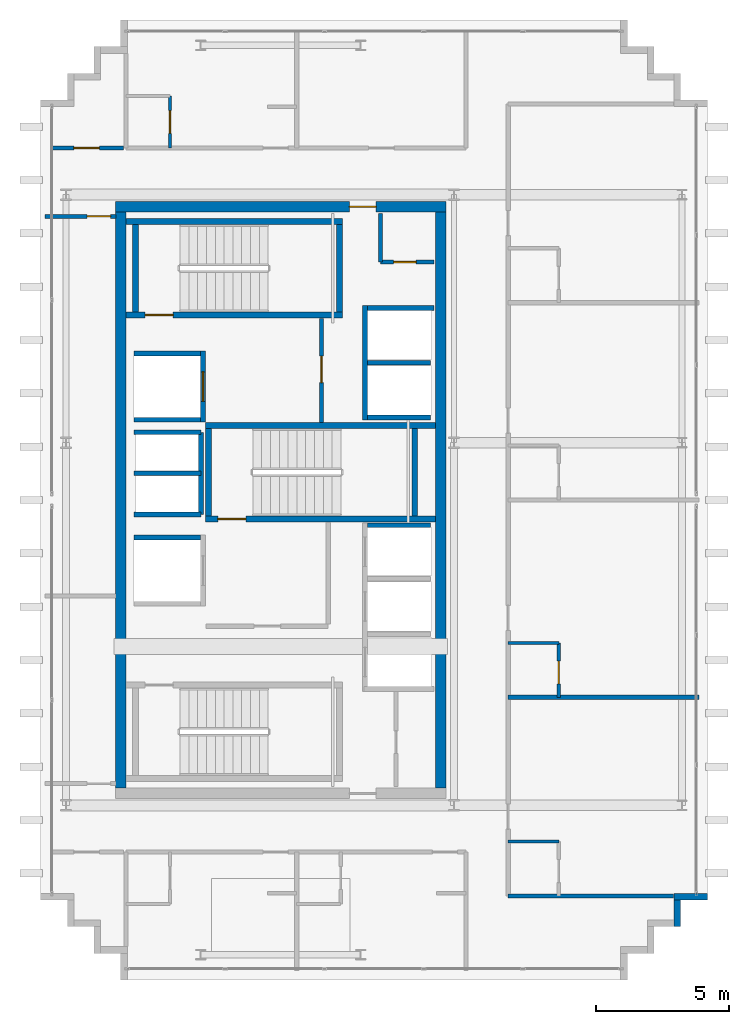
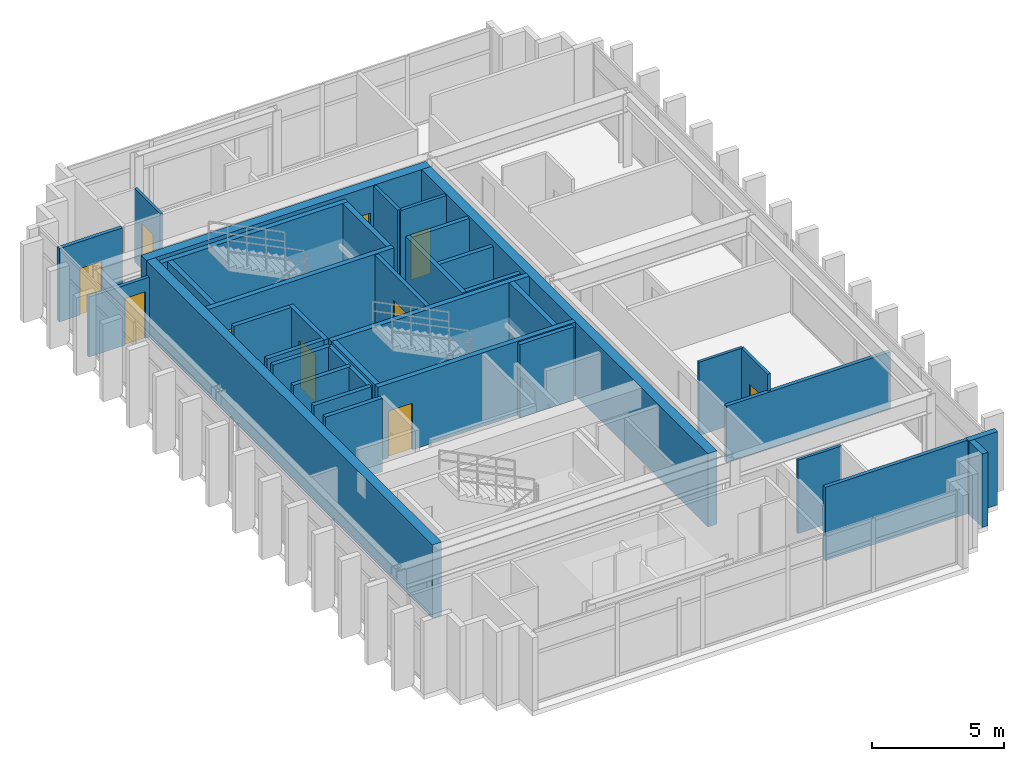
# One storey, part 13 of 15: 37 walls, 10 doors, 10 openings.
"""IFC4 building model written with IfcOpenShell, lengths in metres."""

from ifc_helpers import new_model, si_unit, direction, frame, frame_2d, origin, place, context, subcontext, project, spatial, rectangle, extrude, source, transform, mapped, material, layer, layer_set, type_object, element, fill, save


model = new_model("IFC4")

# Units and contexts
model_context = context("Model", 3, precision=1e-05, world=origin(), true_north=direction((0.0, 1.0)))
body_context = subcontext(model_context, "Body", "Model", "MODEL_VIEW")
ifc_project = project(units=[si_unit("LENGTHUNIT", "METRE"), si_unit("AREAUNIT", "SQUARE_METRE"), si_unit("VOLUMEUNIT", "CUBIC_METRE"), si_unit("PLANEANGLEUNIT", "RADIAN"), si_unit("MASSUNIT", "GRAM", prefix="KILO")], contexts=[model_context])

# Site, building, storey
site_placement = place(None, origin())
site = spatial("IfcSite", under=ifc_project, at=site_placement, CompositionType="ELEMENT")
building_placement = place(site_placement, origin())
building = spatial("IfcBuilding", under=site, at=building_placement, Name="Ocotamira Hotel", CompositionType="ELEMENT")
storey_placement = place(building_placement, frame((0.0, 0.0, 283.199951171875)))
storey = spatial("IfcBuildingStorey", under=building, at=storey_placement, Name="L72", CompositionType="ELEMENT", Elevation=283.199951171875)

# Wall, opening, door
ifc_material_1 = material(Name="Concrete C50/60", Category="concrete")
ifc_layer_1 = layer(ifc_material_1, 0.39990234375)
ifc_layer_set_1 = layer_set([ifc_layer_1], Name="Concrete C50/60")
wall_type_1 = type_object("IfcWallType", Name="WL-CORE-400", PredefinedType="SHEAR", material=ifc_layer_set_1)
wall_1_placement = place(storey_placement, frame((10.800048828125, 37.0, 0.0), z_axis=(0.0, 0.0, 1.0), x_axis=(1.0, 0.0, 0.0)))
wall_1 = element("IfcWall", 1, at=wall_1_placement, inside=storey, type_object=wall_type_1, Name="L72 Shear Core Wall WCORE-N", PredefinedType="SHEAR", context=body_context, shape_type="SweptSolid", body=[
    extrude(rectangle(XDim=12.39990234375, YDim=0.39990234375, at=frame_2d((6.199951171875, 0.0))), origin(), (0.0, 0.0, 1.0), 3.380126953125),
])
opening_1_placement = place(wall_1_placement, frame((8.780029296875, 0.0, 0.0)))
opening_1 = element("IfcOpeningElement", 2, at=opening_1_placement, cuts=wall_1, Name="Opening D-FR2", PredefinedType="OPENING", context=body_context, shape_type="SweptSolid", body=[
    extrude(rectangle(XDim=1.0, YDim=2.14990234375, at=frame_2d((0.5, 1.074951171875))), frame((0.0, 0.2099609375, 0.0), z_axis=(0.0, -1.0, 0.0), x_axis=(1.0, 0.0, 0.0)), (0.0, 0.0, 1.0), 0.419921875),
])
ifc_material_2 = material(Name="Fire-rated acoustic timber-veneer door", Category="wood")
door_type_1 = type_object("IfcDoorType", Name="DR-FIRE-1000", OperationType="NOTDEFINED", PredefinedType="DOOR", material=ifc_material_2)
shared_shape_1 = source(origin(), body_context, "Body", "SweptSolid", [
    extrude(rectangle(XDim=1.0, YDim=2.14990234375, at=frame_2d((0.5, 1.074951171875))), frame((0.0, 0.02490234375, 0.0), z_axis=(0.0, -1.0, 0.0), x_axis=(1.0, 0.0, 0.0)), (0.0, 0.0, 1.0), 0.050048828125),
])
door_1_placement = place(opening_1_placement, origin())
door_1 = element("IfcDoor", 3, at=door_1_placement, inside=storey, type_object=door_type_1, Name="L72 Door ID-L72-WLOB-N-D [ID-L72-WLOB-N-D]", OperationType="SINGLE_SWING_RIGHT", OverallHeight=2.14990234375, OverallWidth=1.0, PredefinedType="DOOR", context=body_context, shape_type="MappedRepresentation", body=[
    mapped(shared_shape_1, transform((0.0, 0.0, 0.0), scale=1.0)),
])
fill(opening_1, door_1)

# Walls
for number, where, z_axis, x_axis, name in (
    (4, (11.0, 15.199951171875, 0.0), (0.0, 0.0, 1.0), (0.0, 1.0, 0.0), "L72 Shear Core Wall WCORE-W"),
    (5, (23.0, 15.199951171875, 0.0), (0.0, 0.0, 1.0), (0.0, 1.0, 0.0), "L72 Shear Core Wall WCORE-E"),
):
    element("IfcWall", number, at=place(storey_placement, frame(where, z_axis=z_axis, x_axis=x_axis)), inside=storey, type_object=wall_type_1, Name=name, PredefinedType="SHEAR", context=body_context, shape_type="SweptSolid", body=[
        extrude(rectangle(XDim=21.60009765625, YDim=0.39990234375, at=frame_2d((10.800048828125, 0.0))), origin(), (0.0, 0.0, 1.0), 3.380126953125),
    ])
ifc_material_3 = material(Name="Precast concrete C45/55", Category="concrete")
ifc_layer_2 = layer(ifc_material_3, 0.25)
ifc_layer_set_2 = layer_set([ifc_layer_2], Name="Precast concrete C45/55")
wall_type_2 = type_object("IfcWallType", Name="WL-EXT-SER-250", PredefinedType="SOLIDWALL", material=ifc_layer_set_2)
wall_2_placement = place(storey_placement, frame((31.875, 10.0, 0.0), z_axis=(0.0, 0.0, 1.0), x_axis=(0.0, 1.0, 0.0)))
element("IfcWall", 6, at=wall_2_placement, inside=storey, type_object=wall_type_2, Name="L72 Serrated Corner Wall 05", PredefinedType="SOLIDWALL", context=body_context, shape_type="SweptSolid", body=[
    extrude(rectangle(XDim=1.0, YDim=0.25, at=frame_2d((0.5, 0.0))), origin(), (0.0, 0.0, 1.0), 3.380126953125),
])
wall_3_placement = place(storey_placement, frame((31.75, 11.125, 0.0), z_axis=(0.0, 0.0, 1.0), x_axis=(1.0, 0.0, 0.0)))
element("IfcWall", 7, at=wall_3_placement, inside=storey, type_object=wall_type_2, Name="L72 Serrated Corner Wall 06", PredefinedType="SOLIDWALL", context=body_context, shape_type="SweptSolid", body=[
    extrude(rectangle(XDim=1.25, YDim=0.25, at=frame_2d((0.625, 0.0))), origin(), (0.0, 0.0, 1.0), 3.380126953125),
])

# Wall, opening, door
ifc_material_4 = material(Name="Acoustic double-layer fire gypsum board partition", Category="gypsum")
ifc_layer_3 = layer(ifc_material_4, 0.159912109375)
ifc_layer_set_3 = layer_set([ifc_layer_3], Name="Acoustic double-layer fire gypsum board partition")
wall_type_3 = type_object("IfcWallType", Name="WL-FIRE-160", PredefinedType="PARTITIONING", material=ifc_layer_set_3)
wall_4_placement = place(storey_placement, frame((18.530029296875, 28.89990234375, 0.0), z_axis=(0.0, 0.0, 1.0), x_axis=(0.0, 1.0, 0.0)))
wall_4 = element("IfcWall", 8, at=wall_4_placement, inside=storey, type_object=wall_type_3, Name="L72 Interior Wall PW-L72-FSAE2-E", PredefinedType="PARTITIONING", context=body_context, shape_type="SweptSolid", body=[
    extrude(rectangle(XDim=3.900146484375, YDim=0.159912109375, at=frame_2d((1.9501953125, 0.0))), origin(), (0.0, 0.0, 1.0), 3.380126953125),
])
opening_2_placement = place(wall_4_placement, frame((1.5, 0.0, 0.0)))
opening_2 = element("IfcOpeningElement", 9, at=opening_2_placement, cuts=wall_4, Name="Opening D-FR2", PredefinedType="OPENING", context=body_context, shape_type="SweptSolid", body=[
    extrude(rectangle(XDim=1.0, YDim=2.14990234375, at=frame_2d((0.5, 1.074951171875))), frame((0.0, 0.08984375, 0.0), z_axis=(0.0, -1.0, 0.0), x_axis=(1.0, 0.0, 0.0)), (0.0, 0.0, 1.0), 0.179931640625),
])
door_2_placement = place(opening_2_placement, origin())
door_2 = element("IfcDoor", 10, at=door_2_placement, inside=storey, type_object=door_type_1, Name="L72 Door ID-L72-FSAE2-D [ID-L72-FSAE2-D]", OperationType="SINGLE_SWING_RIGHT", OverallHeight=2.14990234375, OverallWidth=1.0, PredefinedType="DOOR", context=body_context, shape_type="MappedRepresentation", body=[
    mapped(shared_shape_1, transform((0.0, 0.0, 0.0), scale=1.0)),
])
fill(opening_2, door_2)

wall_5_placement = place(storey_placement, frame((8.35009765625, 39.199951171875, 0.0), z_axis=(0.0, 0.0, 1.0), x_axis=(1.0, 0.0, 0.0)))
wall_5 = element("IfcWall", 11, at=wall_5_placement, inside=storey, type_object=wall_type_3, Name="L72 Interior Wall PW-L72-WPCNW1-CW", PredefinedType="PARTITIONING", context=body_context, shape_type="SweptSolid", body=[
    extrude(rectangle(XDim=2.75, YDim=0.159912109375, at=frame_2d((1.375, 0.0))), origin(), (0.0, 0.0, 1.0), 3.380126953125),
])
opening_3_placement = place(wall_5_placement, frame((0.89501953125, 0.0, 0.0)))
opening_3 = element("IfcOpeningElement", 12, at=opening_3_placement, cuts=wall_5, Name="Opening D-SV4", PredefinedType="OPENING", context=body_context, shape_type="SweptSolid", body=[
    extrude(rectangle(XDim=0.9599609375, YDim=2.14990234375, at=frame_2d((0.47998046875, 1.074951171875))), frame((0.0, 0.08984375, 0.0), z_axis=(0.0, -1.0, 0.0), x_axis=(1.0, 0.0, 0.0)), (0.0, 0.0, 1.0), 0.179931640625),
])
ifc_material_5 = material(Name="Fire-rated accessible walnut salon door", Category="wood")
door_type_2 = type_object("IfcDoorType", Name="DR-SERV-960", OperationType="NOTDEFINED", PredefinedType="DOOR", material=ifc_material_5)
shared_shape_2 = source(origin(), body_context, "Body", "SweptSolid", [
    extrude(rectangle(XDim=0.9599609375, YDim=2.14990234375, at=frame_2d((0.47998046875, 1.074951171875))), frame((0.0, 0.02490234375, 0.0), z_axis=(0.0, -1.0, 0.0), x_axis=(1.0, 0.0, 0.0)), (0.0, 0.0, 1.0), 0.050048828125),
])
door_3_placement = place(opening_3_placement, origin())
door_3 = element("IfcDoor", 13, at=door_3_placement, inside=storey, type_object=door_type_2, Name="L72 Door ID-L72-WPCNW1-CD [ID-L72-WPCNW1-CD]", OperationType="SINGLE_SWING_LEFT", OverallHeight=2.14990234375, OverallWidth=0.9599609375, PredefinedType="DOOR", context=body_context, shape_type="MappedRepresentation", body=[
    mapped(shared_shape_2, transform((0.0, 0.0, 0.0), scale=1.0)),
])
fill(opening_3, door_3)

ifc_material_6 = material(Name="Moisture-resistant en-suite tile and gypsum partition", Category="gypsum")
ifc_layer_4 = layer(ifc_material_6, 0.1201171875)
ifc_layer_set_4 = layer_set([ifc_layer_4], Name="Moisture-resistant en-suite tile and gypsum partition")
wall_type_4 = type_object("IfcWallType", Name="WL-PART-120", PredefinedType="PARTITIONING", material=ifc_layer_set_4)
wall_6_placement = place(storey_placement, frame((12.85009765625, 39.199951171875, 0.0), z_axis=(0.0, 0.0, 1.0), x_axis=(0.0, 1.0, 0.0)))
wall_6 = element("IfcWall", 14, at=wall_6_placement, inside=storey, type_object=wall_type_4, Name="L72 Interior Wall PW-L72-WP1N-BAE1", PredefinedType="PARTITIONING", context=body_context, shape_type="SweptSolid", body=[
    extrude(rectangle(XDim=1.949951171875, YDim=0.1201171875, at=frame_2d((0.97509765625, 0.0))), origin(), (0.0, 0.0, 1.0), 3.380126953125),
])
opening_4_placement = place(wall_6_placement, frame((0.544921875, 0.0, 0.0)))
opening_4 = element("IfcOpeningElement", 15, at=opening_4_placement, cuts=wall_6, Name="Opening D-BA1", PredefinedType="OPENING", context=body_context, shape_type="SweptSolid", body=[
    extrude(rectangle(XDim=0.860107421875, YDim=2.10009765625, at=frame_2d((0.43017578125, 1.050048828125))), frame((0.0, 0.070068359375, 0.0), z_axis=(0.0, -1.0, 0.0), x_axis=(1.0, 0.0, 0.0)), (0.0, 0.0, 1.0), 0.14013671875),
])
ifc_material_7 = material(Name="Moisture-sealed en-suite timber door", Category="wood")
door_type_3 = type_object("IfcDoorType", Name="DR-BATH-860", OperationType="NOTDEFINED", PredefinedType="DOOR", material=ifc_material_7)
shared_shape_3 = source(origin(), body_context, "Body", "SweptSolid", [
    extrude(rectangle(XDim=0.860107421875, YDim=2.10009765625, at=frame_2d((0.43017578125, 1.050048828125))), frame((0.0, 0.02490234375, 0.0), z_axis=(0.0, -1.0, 0.0), x_axis=(1.0, 0.0, 0.0)), (0.0, 0.0, 1.0), 0.050048828125),
])
door_4_placement = place(opening_4_placement, origin())
door_4 = element("IfcDoor", 16, at=door_4_placement, inside=storey, type_object=door_type_3, Name="L72 Door ID-L72-WP1N-BAD1 [ID-L72-WP1N-BAD1]", OperationType="SINGLE_SWING_RIGHT", OverallHeight=2.10009765625, OverallWidth=0.860107421875, PredefinedType="DOOR", context=body_context, shape_type="MappedRepresentation", body=[
    mapped(shared_shape_3, transform((0.0, 0.0, 0.0), scale=1.0)),
])
fill(opening_4, door_4)

# Wall
wall_7_placement = place(storey_placement, frame((25.530029296875, 13.18994140625, 0.0), z_axis=(0.0, 0.0, 1.0), x_axis=(1.0, 0.0, 0.0)))
element("IfcWall", 17, at=wall_7_placement, inside=storey, type_object=wall_type_4, Name="L72 Interior Wall PW-L72-WP-EBN1", PredefinedType="PARTITIONING", context=body_context, shape_type="SweptSolid", body=[
    extrude(rectangle(XDim=1.89990234375, YDim=0.1201171875, at=frame_2d((0.949951171875, 0.0))), origin(), (0.0, 0.0, 1.0), 3.380126953125),
])

# Wall, opening, door
wall_8_placement = place(storey_placement, frame((27.429931640625, 18.60009765625, 0.0), z_axis=(0.0, 0.0, 1.0), x_axis=(0.0, 1.0, 0.0)))
wall_8 = element("IfcWall", 18, at=wall_8_placement, inside=storey, type_object=wall_type_4, Name="L72 Interior Wall PW-L72-WP-EBE2", PredefinedType="PARTITIONING", context=body_context, shape_type="SweptSolid", body=[
    extrude(rectangle(XDim=2.039794921875, YDim=0.1201171875, at=frame_2d((1.02001953125, 0.0))), origin(), (0.0, 0.0, 1.0), 3.380126953125),
])
opening_5_placement = place(wall_8_placement, frame((0.5, 0.0, 0.0)))
opening_5 = element("IfcOpeningElement", 19, at=opening_5_placement, cuts=wall_8, Name="Opening D-BA1", PredefinedType="OPENING", context=body_context, shape_type="SweptSolid", body=[
    extrude(rectangle(XDim=0.860107421875, YDim=2.10009765625, at=frame_2d((0.43017578125, 1.050048828125))), frame((0.0, 0.070068359375, 0.0), z_axis=(0.0, -1.0, 0.0), x_axis=(1.0, 0.0, 0.0)), (0.0, 0.0, 1.0), 0.14013671875),
])
door_5_placement = place(opening_5_placement, origin())
door_5 = element("IfcDoor", 20, at=door_5_placement, inside=storey, type_object=door_type_3, Name="L72 Door ID-L72-WP-EBD2 [ID-L72-WP-EBD2]", OperationType="SINGLE_SWING_LEFT", OverallHeight=2.10009765625, OverallWidth=0.860107421875, PredefinedType="DOOR", context=body_context, shape_type="MappedRepresentation", body=[
    mapped(shared_shape_3, transform((0.0, 0.0, 0.0), scale=1.0)),
])
fill(opening_5, door_5)

# Walls
wall_9_placement = place(storey_placement, frame((25.530029296875, 20.639892578125, 0.0), z_axis=(0.0, 0.0, 1.0), x_axis=(1.0, 0.0, 0.0)))
element("IfcWall", 21, at=wall_9_placement, inside=storey, type_object=wall_type_4, Name="L72 Interior Wall PW-L72-WP-EBN2", PredefinedType="PARTITIONING", context=body_context, shape_type="SweptSolid", body=[
    extrude(rectangle(XDim=1.89990234375, YDim=0.1201171875, at=frame_2d((0.949951171875, 0.0))), origin(), (0.0, 0.0, 1.0), 3.380126953125),
])
ifc_material_8 = material(Name="Acoustic hospitality gypsum board partition", Category="gypsum")
ifc_layer_5 = layer(ifc_material_8, 0.14208984375)
ifc_layer_set_5 = layer_set([ifc_layer_5], Name="Acoustic hospitality gypsum board partition")
wall_type_5 = type_object("IfcWallType", Name="WL-PART-142", PredefinedType="PARTITIONING", material=ifc_layer_set_5)
wall_10_placement = place(storey_placement, frame((20.739990234375, 34.919921875, 0.0), z_axis=(0.0, 0.0, 1.0), x_axis=(0.0, 1.0, 0.0)))
element("IfcWall", 22, at=wall_10_placement, inside=storey, type_object=wall_type_5, Name="L72 Interior Wall PW-L72-WC-NE-W1", PredefinedType="PARTITIONING", context=body_context, shape_type="SweptSolid", body=[
    extrude(rectangle(XDim=1.830078125, YDim=0.14208984375, at=frame_2d((0.9150390625, 0.0))), origin(), (0.0, 0.0, 1.0), 3.380126953125),
])

# Wall, opening, door
wall_11_placement = place(storey_placement, frame((20.739990234375, 34.919921875, 0.0), z_axis=(0.0, 0.0, 1.0), x_axis=(1.0, 0.0, 0.0)))
wall_11 = element("IfcWall", 23, at=wall_11_placement, inside=storey, type_object=wall_type_5, Name="L72 Interior Wall PW-L72-WC-NE-S1", PredefinedType="PARTITIONING", context=body_context, shape_type="SweptSolid", body=[
    extrude(rectangle(XDim=2.010009765625, YDim=0.14208984375, at=frame_2d((1.0048828125, 0.0))), origin(), (0.0, 0.0, 1.0), 3.380126953125),
])
opening_6_placement = place(wall_11_placement, frame((0.5, 0.0, 0.0)))
opening_6 = element("IfcOpeningElement", 24, at=opening_6_placement, cuts=wall_11, Name="Opening D-SV1", PredefinedType="OPENING", context=body_context, shape_type="SweptSolid", body=[
    extrude(rectangle(XDim=0.840087890625, YDim=2.10009765625, at=frame_2d((0.419921875, 1.050048828125))), frame((0.0, 0.0810546875, 0.0), z_axis=(0.0, -1.0, 0.0), x_axis=(1.0, 0.0, 0.0)), (0.0, 0.0, 1.0), 0.162109375),
])
ifc_material_9 = material(Name="Fire-rated painted steel service door", Category="steel")
door_type_4 = type_object("IfcDoorType", Name="DR-SERV-840", OperationType="NOTDEFINED", PredefinedType="DOOR", material=ifc_material_9)
shared_shape_4 = source(origin(), body_context, "Body", "SweptSolid", [
    extrude(rectangle(XDim=0.840087890625, YDim=2.10009765625, at=frame_2d((0.419921875, 1.050048828125))), frame((0.0, 0.02490234375, 0.0), z_axis=(0.0, -1.0, 0.0), x_axis=(1.0, 0.0, 0.0)), (0.0, 0.0, 1.0), 0.050048828125),
])
door_6_placement = place(opening_6_placement, origin())
door_6 = element("IfcDoor", 25, at=door_6_placement, inside=storey, type_object=door_type_4, Name="L72 Door ID-L72-WC-NE-D1 [ID-L72-WC-NE-D1]", OperationType="SINGLE_SWING_LEFT", OverallHeight=2.10009765625, OverallWidth=0.840087890625, PredefinedType="DOOR", context=body_context, shape_type="MappedRepresentation", body=[
    mapped(shared_shape_4, transform((0.0, 0.0, 0.0), scale=1.0)),
])
fill(opening_6, door_6)

ifc_layer_6 = layer(ifc_material_8, 0.14990234375)
ifc_layer_set_6 = layer_set([ifc_layer_6], Name="Acoustic hospitality gypsum board partition")
wall_type_6 = type_object("IfcWallType", Name="WL-PART-150", PredefinedType="PARTITIONING", material=ifc_layer_set_6)
wall_12_placement = place(storey_placement, frame((8.159912109375, 36.639892578125, 0.0), z_axis=(0.0, 0.0, 1.0), x_axis=(1.0, 0.0, 0.0)))
wall_12 = element("IfcWall", 26, at=wall_12_placement, inside=storey, type_object=wall_type_6, Name="L72 Interior Wall PW-L72-WP1W-WN", PredefinedType="PARTITIONING", context=body_context, shape_type="SweptSolid", body=[
    extrude(rectangle(XDim=2.66015625, YDim=0.14990234375, at=frame_2d((1.330078125, 0.0))), origin(), (0.0, 0.0, 1.0), 2.762939453125),
])
opening_7_placement = place(wall_12_placement, frame((1.580078125, 0.0, 0.0)))
opening_7 = element("IfcOpeningElement", 27, at=opening_7_placement, cuts=wall_12, Name="Opening D-SV2", PredefinedType="OPENING", context=body_context, shape_type="SweptSolid", body=[
    extrude(rectangle(XDim=0.8798828125, YDim=2.14990234375, at=frame_2d((0.43994140625, 1.074951171875))), frame((0.0, 0.0849609375, 0.0), z_axis=(0.0, -1.0, 0.0), x_axis=(1.0, 0.0, 0.0)), (0.0, 0.0, 1.0), 0.169921875),
])
door_type_5 = type_object("IfcDoorType", Name="DR-SERV-880", OperationType="NOTDEFINED", PredefinedType="DOOR", material=ifc_material_9)
shared_shape_5 = source(origin(), body_context, "Body", "SweptSolid", [
    extrude(rectangle(XDim=0.8798828125, YDim=2.14990234375, at=frame_2d((0.43994140625, 1.074951171875))), frame((0.0, 0.02490234375, 0.0), z_axis=(0.0, -1.0, 0.0), x_axis=(1.0, 0.0, 0.0)), (0.0, 0.0, 1.0), 0.050048828125),
])
door_7_placement = place(opening_7_placement, origin())
door_7 = element("IfcDoor", 28, at=door_7_placement, inside=storey, type_object=door_type_5, Name="L72 Door ID-L72-WP1W-DN [ID-L72-WP1W-DN]", OperationType="SINGLE_SWING_RIGHT", OverallHeight=2.14990234375, OverallWidth=0.8798828125, PredefinedType="DOOR", context=body_context, shape_type="MappedRepresentation", body=[
    mapped(shared_shape_5, transform((0.0, 0.0, 0.0), scale=1.0)),
])
fill(opening_7, door_7)

# Walls
ifc_material_10 = material(Name="Acoustic double-stud hospitality gypsum partition", Category="gypsum")
ifc_layer_7 = layer(ifc_material_10, 0.159912109375)
ifc_layer_set_7 = layer_set([ifc_layer_7], Name="Acoustic double-stud hospitality gypsum partition")
wall_type_7 = type_object("IfcWallType", Name="WL-PART-160", PredefinedType="PARTITIONING", material=ifc_layer_set_7)
wall_13_placement = place(storey_placement, frame((25.530029296875, 11.14990234375, 0.0), z_axis=(0.0, 0.0, 1.0), x_axis=(1.0, 0.0, 0.0)))
element("IfcWall", 29, at=wall_13_placement, inside=storey, type_object=wall_type_7, Name="L72 Interior Wall PW-L72-WP-EDIV0", PredefinedType="PARTITIONING", context=body_context, shape_type="SweptSolid", body=[
    extrude(rectangle(XDim=6.2099609375, YDim=0.159912109375, at=frame_2d((3.10498046875, 0.0))), origin(), (0.0, 0.0, 1.0), 3.380126953125),
])
wall_14_placement = place(storey_placement, frame((25.530029296875, 18.60009765625, 0.0), z_axis=(0.0, 0.0, 1.0), x_axis=(1.0, 0.0, 0.0)))
element("IfcWall", 30, at=wall_14_placement, inside=storey, type_object=wall_type_7, Name="L72 Interior Wall PW-L72-WP-EDIV1", PredefinedType="PARTITIONING", context=body_context, shape_type="SweptSolid", body=[
    extrude(rectangle(XDim=7.14990234375, YDim=0.159912109375, at=frame_2d((3.574951171875, 0.0))), origin(), (0.0, 0.0, 1.0), 2.60107421875),
])
ifc_material_11 = material(Name="Fire-rated gypsum shaftliner board assembly", Category="gypsum")
ifc_layer_8 = layer(ifc_material_11, 0.179931640625)
ifc_layer_set_8 = layer_set([ifc_layer_8], Name="Fire-rated gypsum shaftliner board assembly")
wall_type_8 = type_object("IfcWallType", Name="WL-SHAFT-180", PredefinedType="SOLIDWALL", material=ifc_layer_set_8)
wall_15_placement = place(storey_placement, frame((20.25, 25.050048828125, 0.0), z_axis=(0.0, 0.0, 1.0), x_axis=(1.0, 0.0, 0.0)))
element("IfcWall", 31, at=wall_15_placement, inside=storey, type_object=wall_type_8, Name="L72 Interior Wall PW-L72-LFW-BANK-high-N", PredefinedType="SOLIDWALL", context=body_context, shape_type="SweptSolid", body=[
    extrude(rectangle(XDim=2.360107421875, YDim=0.179931640625, at=frame_2d((1.18017578125, 0.0))), origin(), (0.0, 0.0, 1.0), 3.380126953125),
])
wall_16_placement = place(storey_placement, frame((20.159912109375, 29.0, 0.0), z_axis=(0.0, 0.0, 1.0), x_axis=(0.0, 1.0, 0.0)))
element("IfcWall", 32, at=wall_16_placement, inside=storey, type_object=wall_type_8, Name="L72 Interior Wall PW-L72-LFW-BANK-obs-F", PredefinedType="SOLIDWALL", context=body_context, shape_type="SweptSolid", body=[
    extrude(rectangle(XDim=4.2900390625, YDim=0.179931640625, at=frame_2d((2.14501953125, 0.0))), origin(), (0.0, 0.0, 1.0), 3.380126953125),
])
wall_17_placement = place(storey_placement, frame((20.25, 29.090087890625, 0.0), z_axis=(0.0, 0.0, 1.0), x_axis=(1.0, 0.0, 0.0)))
element("IfcWall", 33, at=wall_17_placement, inside=storey, type_object=wall_type_8, Name="L72 Interior Wall PW-L72-LFW-BANK-obs-S", PredefinedType="SOLIDWALL", context=body_context, shape_type="SweptSolid", body=[
    extrude(rectangle(XDim=2.360107421875, YDim=0.179931640625, at=frame_2d((1.18017578125, 0.0))), origin(), (0.0, 0.0, 1.0), 3.380126953125),
])
wall_18_placement = place(storey_placement, frame((20.25, 33.199951171875, 0.0), z_axis=(0.0, 0.0, 1.0), x_axis=(1.0, 0.0, 0.0)))
element("IfcWall", 34, at=wall_18_placement, inside=storey, type_object=wall_type_8, Name="L72 Interior Wall PW-L72-LFW-BANK-obs-N", PredefinedType="SOLIDWALL", context=body_context, shape_type="SweptSolid", body=[
    extrude(rectangle(XDim=2.5, YDim=0.179931640625, at=frame_2d((1.25, 0.0))), origin(), (0.0, 0.0, 1.0), 3.380126953125),
])
wall_19_placement = place(storey_placement, frame((20.25, 31.14501953125, 0.0), z_axis=(0.0, 0.0, 1.0), x_axis=(1.0, 0.0, 0.0)))
element("IfcWall", 35, at=wall_19_placement, inside=storey, type_object=wall_type_8, Name="L72 Interior Wall PW-L72-LFW-DIV-LF-OBS1", PredefinedType="SOLIDWALL", context=body_context, shape_type="SweptSolid", body=[
    extrude(rectangle(XDim=2.360107421875, YDim=0.179931640625, at=frame_2d((1.18017578125, 0.0))), origin(), (0.0, 0.0, 1.0), 3.380126953125),
])
for number, where, z_axis, x_axis, name in (
    (36, (11.5, 24.590087890625, 0.0), (0.0, 0.0, 1.0), (1.0, 0.0, 0.0), "L72 Interior Wall PW-L72-LFW-LF-FSAE1-N"),
    (37, (11.5, 29.010009765625, 0.0), (0.0, 0.0, 1.0), (1.0, 0.0, 0.0), "L72 Interior Wall PW-L72-LFW-LF-FSAE2-S"),
    (38, (11.5, 31.489990234375, 0.0), (0.0, 0.0, 1.0), (1.0, 0.0, 0.0), "L72 Interior Wall PW-L72-LFW-LF-FSAE2-N"),
):
    element("IfcWall", number, at=place(storey_placement, frame(where, z_axis=z_axis, x_axis=x_axis)), inside=storey, type_object=wall_type_8, Name=name, PredefinedType="SOLIDWALL", context=body_context, shape_type="SweptSolid", body=[
        extrude(rectangle(XDim=2.5, YDim=0.179931640625, at=frame_2d((1.25, 0.0))), origin(), (0.0, 0.0, 1.0), 3.380126953125),
    ])

# Wall, opening, door
wall_20_placement = place(storey_placement, frame((14.090087890625, 28.919921875, 0.0), z_axis=(0.0, 0.0, 1.0), x_axis=(0.0, 1.0, 0.0)))
wall_20 = element("IfcWall", 39, at=wall_20_placement, inside=storey, type_object=wall_type_8, Name="L72 Interior Wall PW-L72-LFW-LF-FSAE2-E", PredefinedType="SOLIDWALL", context=body_context, shape_type="SweptSolid", body=[
    extrude(rectangle(XDim=2.66015625, YDim=0.179931640625, at=frame_2d((1.330078125, 0.0))), origin(), (0.0, 0.0, 1.0), 3.380126953125),
])
opening_8_placement = place(wall_20_placement, frame((0.780029296875, 0.0, 0.0)))
opening_8 = element("IfcOpeningElement", 40, at=opening_8_placement, cuts=wall_20, Name="Opening LD-LF-FSAE2", PredefinedType="OPENING", context=body_context, shape_type="SweptSolid", body=[
    extrude(rectangle(XDim=1.10009765625, YDim=2.199951171875, at=frame_2d((0.550048828125, 1.10009765625))), frame((0.0, 0.10009765625, 0.0), z_axis=(0.0, -1.0, 0.0), x_axis=(1.0, 0.0, 0.0)), (0.0, 0.0, 1.0), 0.199951171875),
])
ifc_material_12 = material(Name="Brushed pale-metal stainless elevator landing door", Category="steel")
door_type_6 = type_object("IfcDoorType", Name="DR-LIFT-1100", OperationType="NOTDEFINED", PredefinedType="DOOR", material=ifc_material_12)
shared_shape_6 = source(origin(), body_context, "Body", "SweptSolid", [
    extrude(rectangle(XDim=1.10009765625, YDim=2.199951171875, at=frame_2d((0.550048828125, 1.10009765625))), frame((0.0, 0.02490234375, 0.0), z_axis=(0.0, -1.0, 0.0), x_axis=(1.0, 0.0, 0.0)), (0.0, 0.0, 1.0), 0.050048828125),
])
door_8_placement = place(opening_8_placement, origin())
door_8 = element("IfcDoor", 41, at=door_8_placement, inside=storey, type_object=door_type_6, Name="L72 Landing Door LD-LF-FSAE2 [ID-L72-LD-LF-FSAE2]", OperationType="DOUBLE_DOOR_SLIDING", OverallHeight=2.199951171875, OverallWidth=1.10009765625, PredefinedType="DOOR", context=body_context, shape_type="MappedRepresentation", body=[
    mapped(shared_shape_6, transform((0.0, 0.0, 0.0), scale=1.0)),
])
fill(opening_8, door_8)

# Walls
for number, where, z_axis, x_axis, name in (
    (42, (11.5, 25.4599609375, 0.0), (0.0, 0.0, 1.0), (1.0, 0.0, 0.0), "L72 Interior Wall PW-L72-RSW-S"),
    (43, (11.5, 27.0, 0.0), (0.0, 0.0, 1.0), (1.0, 0.0, 0.0), "L72 Interior Wall PW-L72-RSW-MID"),
    (44, (11.5, 28.5400390625, 0.0), (0.0, 0.0, 1.0), (1.0, 0.0, 0.0), "L72 Interior Wall PW-L72-RSW-N"),
):
    element("IfcWall", number, at=place(storey_placement, frame(where, z_axis=z_axis, x_axis=x_axis)), inside=storey, type_object=wall_type_8, Name=name, PredefinedType="SOLIDWALL", context=body_context, shape_type="SweptSolid", body=[
        extrude(rectangle(XDim=2.510009765625, YDim=0.179931640625, at=frame_2d((1.2548828125, 0.0))), origin(), (0.0, 0.0, 1.0), 3.380126953125),
    ])
wall_21_placement = place(storey_placement, frame((14.010009765625, 25.4599609375, 0.0), z_axis=(0.0, 0.0, 1.0), x_axis=(0.0, 1.0, 0.0)))
element("IfcWall", 45, at=wall_21_placement, inside=storey, type_object=wall_type_8, Name="L72 Interior Wall PW-L72-RSW-E", PredefinedType="SOLIDWALL", context=body_context, shape_type="SweptSolid", body=[
    extrude(rectangle(XDim=3.080078125, YDim=0.179931640625, at=frame_2d((1.5400390625, 0.0))), origin(), (0.0, 0.0, 1.0), 3.380126953125),
])

# Wall, opening, door
ifc_layer_9 = layer(ifc_material_1, 0.219970703125)
ifc_layer_set_9 = layer_set([ifc_layer_9], Name="Concrete C50/60")
wall_type_9 = type_object("IfcWallType", Name="WL-STAIR-220", PredefinedType="SHEAR", material=ifc_layer_set_9)
wall_22_placement = place(storey_placement, frame((11.199951171875, 32.93994140625, 0.0), z_axis=(0.0, 0.0, 1.0), x_axis=(1.0, 0.0, 0.0)))
wall_22 = element("IfcWall", 46, at=wall_22_placement, inside=storey, type_object=wall_type_9, Name="L72 Stair Shaft Structural Wall ST-2-S", PredefinedType="SHEAR", context=body_context, shape_type="SweptSolid", body=[
    extrude(rectangle(XDim=8.110107421875, YDim=0.219970703125, at=frame_2d((4.05517578125, 0.0))), origin(), (0.0, 0.0, 1.0), 3.400146484375),
])
opening_9_placement = place(wall_22_placement, frame((0.719970703125, 0.0, 0.0)))
opening_9 = element("IfcOpeningElement", 47, at=opening_9_placement, cuts=wall_22, Name="Opening D-ST2", PredefinedType="OPENING", context=body_context, shape_type="SweptSolid", body=[
    extrude(rectangle(XDim=1.050048828125, YDim=2.14990234375, at=frame_2d((0.52490234375, 1.074951171875))), frame((0.0, 0.1201171875, 0.0), z_axis=(0.0, -1.0, 0.0), x_axis=(1.0, 0.0, 0.0)), (0.0, 0.0, 1.0), 0.239990234375),
])
ifc_material_13 = material(Name="Insulated painted hollow-metal fire exit door", Category="steel")
door_type_7 = type_object("IfcDoorType", Name="DR-STAIR-1050", OperationType="NOTDEFINED", PredefinedType="DOOR", material=ifc_material_13)
shared_shape_7 = source(origin(), body_context, "Body", "SweptSolid", [
    extrude(rectangle(XDim=1.050048828125, YDim=2.14990234375, at=frame_2d((0.52490234375, 1.074951171875))), frame((0.0, 0.02490234375, 0.0), z_axis=(0.0, -1.0, 0.0), x_axis=(1.0, 0.0, 0.0)), (0.0, 0.0, 1.0), 0.050048828125),
])
door_9_placement = place(opening_9_placement, origin())
door_9 = element("IfcDoor", 48, at=door_9_placement, inside=storey, type_object=door_type_7, Name="L72 Door ID-L72-STD-ST-2 [ID-L72-STD-ST-2]", OperationType="SINGLE_SWING_RIGHT", OverallHeight=2.14990234375, OverallWidth=1.050048828125, PredefinedType="DOOR", context=body_context, shape_type="MappedRepresentation", body=[
    mapped(shared_shape_7, transform((0.0, 0.0, 0.0), scale=1.0)),
])
fill(opening_9, door_9)

# Walls
wall_23_placement = place(storey_placement, frame((11.199951171875, 36.43994140625, 0.0), z_axis=(0.0, 0.0, 1.0), x_axis=(1.0, 0.0, 0.0)))
element("IfcWall", 49, at=wall_23_placement, inside=storey, type_object=wall_type_9, Name="L72 Stair Shaft Structural Wall ST-2-N", PredefinedType="SHEAR", context=body_context, shape_type="SweptSolid", body=[
    extrude(rectangle(XDim=8.110107421875, YDim=0.219970703125, at=frame_2d((4.05517578125, 0.0))), origin(), (0.0, 0.0, 1.0), 3.400146484375),
])
for number, where, z_axis, x_axis, name in (
    (50, (11.56005859375, 33.050048828125, 0.0), (0.0, 0.0, 1.0), (0.0, 1.0, 0.0), "L72 Stair Shaft Structural Wall ST-2-W"),
    (51, (19.199951171875, 33.050048828125, 0.0), (0.0, 0.0, 1.0), (0.0, 1.0, 0.0), "L72 Stair Shaft Structural Wall ST-2-E"),
):
    element("IfcWall", number, at=place(storey_placement, frame(where, z_axis=z_axis, x_axis=x_axis)), inside=storey, type_object=wall_type_9, Name=name, PredefinedType="SHEAR", context=body_context, shape_type="SweptSolid", body=[
        extrude(rectangle(XDim=3.280029296875, YDim=0.219970703125, at=frame_2d((1.64013671875, 0.0))), origin(), (0.0, 0.0, 1.0), 3.400146484375),
    ])

# Wall, opening, door
wall_24_placement = place(storey_placement, frame((14.179931640625, 25.2900390625, 0.0), z_axis=(0.0, 0.0, 1.0), x_axis=(1.0, 0.0, 0.0)))
wall_24 = element("IfcWall", 52, at=wall_24_placement, inside=storey, type_object=wall_type_9, Name="L72 Stair Shaft Structural Wall ST-3-S", PredefinedType="SHEAR", context=body_context, shape_type="SweptSolid", body=[
    extrude(rectangle(XDim=8.6201171875, YDim=0.219970703125, at=frame_2d((4.31005859375, 0.0))), origin(), (0.0, 0.0, 1.0), 3.400146484375),
])
opening_10_placement = place(wall_24_placement, frame((0.469970703125, 0.0, 0.0)))
opening_10 = element("IfcOpeningElement", 53, at=opening_10_placement, cuts=wall_24, Name="Opening D-ST2", PredefinedType="OPENING", context=body_context, shape_type="SweptSolid", body=[
    extrude(rectangle(XDim=1.050048828125, YDim=2.14990234375, at=frame_2d((0.52490234375, 1.074951171875))), frame((0.0, 0.1201171875, 0.0), z_axis=(0.0, -1.0, 0.0), x_axis=(1.0, 0.0, 0.0)), (0.0, 0.0, 1.0), 0.239990234375),
])
door_10_placement = place(opening_10_placement, origin())
door_10 = element("IfcDoor", 54, at=door_10_placement, inside=storey, type_object=door_type_7, Name="L72 Door ID-L72-STD-ST-3 [ID-L72-STD-ST-3]", OperationType="SINGLE_SWING_LEFT", OverallHeight=2.14990234375, OverallWidth=1.050048828125, PredefinedType="DOOR", context=body_context, shape_type="MappedRepresentation", body=[
    mapped(shared_shape_7, transform((0.0, 0.0, 0.0), scale=1.0)),
])
fill(opening_10, door_10)

# Walls
wall_25_placement = place(storey_placement, frame((14.179931640625, 28.7900390625, 0.0), z_axis=(0.0, 0.0, 1.0), x_axis=(1.0, 0.0, 0.0)))
element("IfcWall", 55, at=wall_25_placement, inside=storey, type_object=wall_type_9, Name="L72 Stair Shaft Structural Wall ST-3-N", PredefinedType="SHEAR", context=body_context, shape_type="SweptSolid", body=[
    extrude(rectangle(XDim=8.6201171875, YDim=0.219970703125, at=frame_2d((4.31005859375, 0.0))), origin(), (0.0, 0.0, 1.0), 3.400146484375),
])
for number, where, z_axis, x_axis, name in (
    (56, (14.2900390625, 25.39990234375, 0.0), (0.0, 0.0, 1.0), (0.0, 1.0, 0.0), "L72 Stair Shaft Structural Wall ST-3-W"),
    (57, (22.030029296875, 25.39990234375, 0.0), (0.0, 0.0, 1.0), (0.0, 1.0, 0.0), "L72 Stair Shaft Structural Wall ST-3-E"),
):
    element("IfcWall", number, at=place(storey_placement, frame(where, z_axis=z_axis, x_axis=x_axis)), inside=storey, type_object=wall_type_9, Name=name, PredefinedType="SHEAR", context=body_context, shape_type="SweptSolid", body=[
        extrude(rectangle(XDim=3.280029296875, YDim=0.219970703125, at=frame_2d((1.64013671875, 0.0))), origin(), (0.0, 0.0, 1.0), 3.400146484375),
    ])

save(model, "model.ifc")
